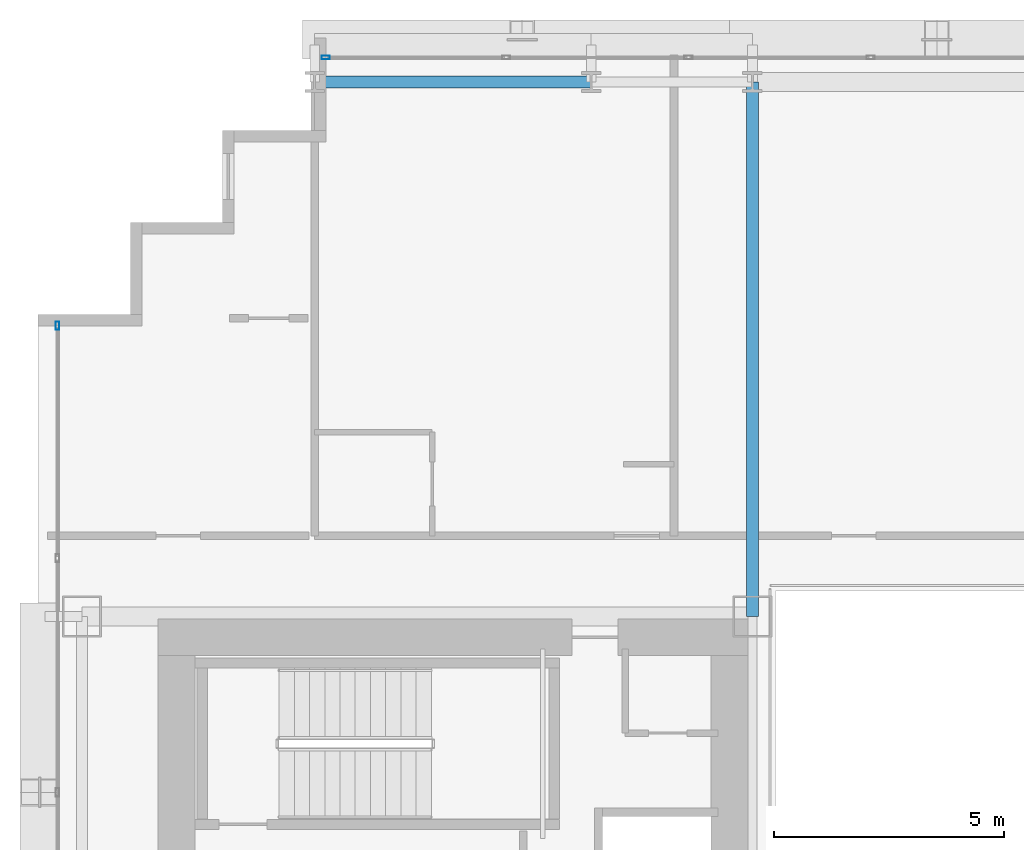
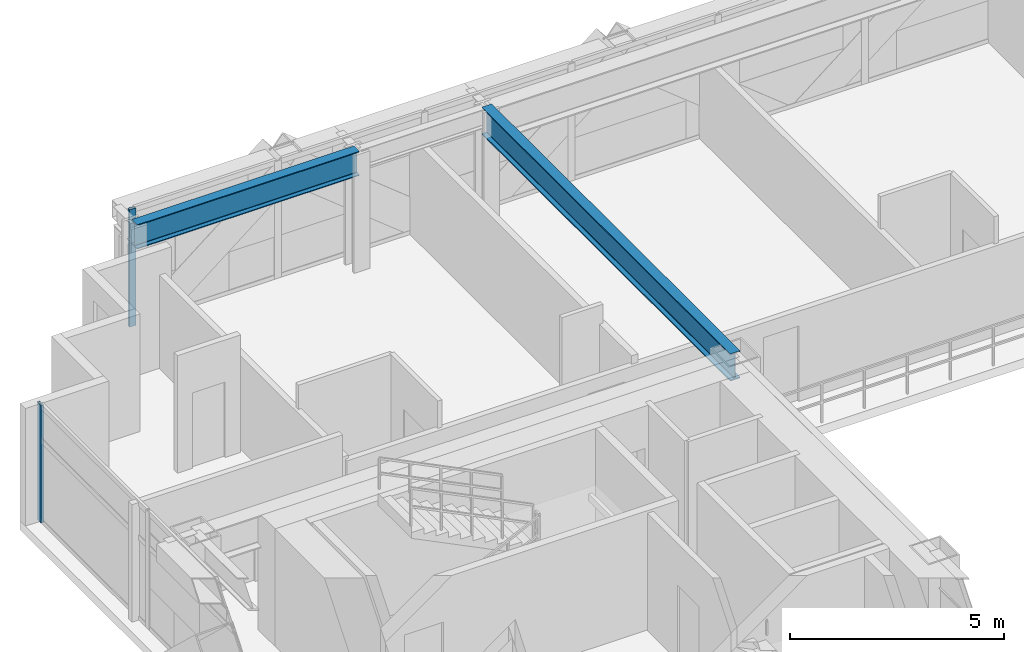
# One storey, part 17 of 35: 2 beams, 2 members, 2 elements without a shape of their own.
"""IFC4 building model written with IfcOpenShell, lengths in metres."""

from ifc_helpers import new_model, si_unit, direction, frame, origin, origin_2d, place, context, subcontext, project, spatial, hollow_rectangle, i_section, extrude, source, transform, mapped, material, layer, layer_set, material_profile, profile_set, type_object, element, aggregate, save


model = new_model("IFC4")

# Units and contexts
model_context = context("Model", 3, precision=1e-05, world=origin(), true_north=direction((0.0, 1.0)))
body_context = subcontext(model_context, "Body", "Model", "MODEL_VIEW")
ifc_project = project(units=[si_unit("LENGTHUNIT", "METRE"), si_unit("AREAUNIT", "SQUARE_METRE"), si_unit("VOLUMEUNIT", "CUBIC_METRE"), si_unit("PLANEANGLEUNIT", "RADIAN"), si_unit("MASSUNIT", "GRAM", prefix="KILO")], contexts=[model_context])

# Site, building, storey
site_placement = place(None, origin())
site = spatial("IfcSite", under=ifc_project, at=site_placement, CompositionType="ELEMENT")
building_placement = place(site_placement, origin())
building = spatial("IfcBuilding", under=site, at=building_placement, Name="Ocotamira Hotel", CompositionType="ELEMENT")
storey_placement = place(building_placement, frame((0.0, 0.0, 63.60009765625)))
storey = spatial("IfcBuildingStorey", under=building, at=storey_placement, Name="L15", CompositionType="ELEMENT", Elevation=63.60009765625)

# Beams
ifc_material_1 = material(Name="Steel ASTM A992 Grade 50", Category="steel")
ifc_material_profile_1 = material_profile(ifc_material_1, i_section(OverallWidth=0.256103515625, OverallDepth=0.693115234375, WebThickness=0.014404296875, FlangeThickness=0.023681640625, FilletRadius=0.01611328125, at=origin_2d()), Name="W27X114")
ifc_profile_set_1 = profile_set([ifc_material_profile_1], Name="Steel ASTM A992 Grade 50")
beam_type_1 = type_object("IfcBeamType", Name="BM-PRIM-W27X114", PredefinedType="BEAM", material=ifc_profile_set_1)
shared_shape_1 = source(origin(), body_context, "Body", "SweptSolid", [
    extrude(i_section(OverallWidth=0.256103515625, OverallDepth=0.693115234375, WebThickness=0.014404296875, FlangeThickness=0.023681640625, FilletRadius=0.01611328125, at=origin_2d()), origin(), (0.0, 0.0, 1.0), 6.0),
])
beam_1_placement = place(storey_placement, frame((14.0, 49.050048828125, 3.00341796875), z_axis=(1.0, 0.0, 0.0), x_axis=(0.0, 1.0, 0.0)))
element("IfcBeam", 1, at=beam_1_placement, inside=storey, type_object=beam_type_1, Name="L15 Girder Y49.05 X14-20", PredefinedType="BEAM", context=body_context, shape_type="MappedRepresentation", body=[
    mapped(shared_shape_1, transform((0.0, 0.0, 0.0), scale=1.0)),
])
ifc_material_profile_2 = material_profile(ifc_material_1, i_section(OverallWidth=0.26611328125, OverallDepth=0.779052734375, WebThickness=0.0166015625, FlangeThickness=0.030029296875, FilletRadius=0.01806640625, at=origin_2d()), Name="W30X148")
ifc_profile_set_2 = profile_set([ifc_material_profile_2], Name="Steel ASTM A992 Grade 50")
beam_type_2 = type_object("IfcBeamType", Name="BM-GIRD-W30X148", PredefinedType="BEAM", material=ifc_profile_set_2)
shared_shape_2 = source(origin(), body_context, "Body", "SweptSolid", [
    extrude(i_section(OverallWidth=0.26611328125, OverallDepth=0.779052734375, WebThickness=0.0166015625, FlangeThickness=0.030029296875, FilletRadius=0.01806640625, at=origin_2d()), origin(), (0.0, 0.0, 1.0), 11.60009765625),
])
beam_2_placement = place(storey_placement, frame((23.5, 37.449951171875, 2.96044921875), z_axis=(0.0, 1.0, 0.0), x_axis=(-1.0, 0.0, 0.0)))
element("IfcBeam", 2, at=beam_2_placement, inside=storey, type_object=beam_type_2, Name="L15 Beam X23.5 Y37.45-49.05", PredefinedType="BEAM", context=body_context, shape_type="MappedRepresentation", body=[
    mapped(shared_shape_2, transform((0.0, 0.0, 0.0), scale=1.0)),
])

# Curtain wall, member
ifc_material_2 = material(Name="Anodised pale-metal aluminium and solar glass", Category="aluminium")
ifc_layer = layer(ifc_material_2, 0.179931640625)
ifc_layer_set = layer_set([ifc_layer], Name="Anodised pale-metal aluminium and solar glass")
curtain_wall_type = type_object("IfcCurtainWallType", Name="CW-SYS2-Z1", PredefinedType="NOTDEFINED", material=ifc_layer_set)
curtain_wall_1_placement = place(storey_placement, origin())
curtain_wall_1 = element("IfcCurtainWall", 3, at=curtain_wall_1_placement, inside=storey, type_object=curtain_wall_type, Name="L15 Curtain Wall CW-2 CW-L15-N", PredefinedType="NOTDEFINED")
ifc_material_3 = material(Name="Anodised pale-metal aluminium 6063-T6", Category="aluminium")
ifc_material_profile_3 = material_profile(ifc_material_3, hollow_rectangle(XDim=0.080078125, YDim=0.179931640625, WallThickness=0.006103515625, at=origin_2d()), Name="HSS180X80X6")
ifc_profile_set_3 = profile_set([ifc_material_profile_3], Name="Anodised pale-metal aluminium 6063-T6")
member_type = type_object("IfcMemberType", Name="CWM-180X75", PredefinedType="MULLION", material=ifc_profile_set_3)
shared_shape_3 = source(origin(), body_context, "Body", "SweptSolid", [
    extrude(hollow_rectangle(XDim=0.080078125, YDim=0.179931640625, WallThickness=0.006103515625, at=origin_2d()), origin(), (0.0, 0.0, 1.0), 3.349853515625),
])
member_1_placement = place(storey_placement, frame((14.239990234375, 49.580078125, 0.0), z_axis=(0.0, 0.0, 1.0), x_axis=(0.0, 1.0, 0.0)))
member_1 = element("IfcMember", 4, at=member_1_placement, type_object=member_type, Name="CW-2 mullion 1", PredefinedType="MULLION", context=body_context, shape_type="MappedRepresentation", body=[
    mapped(shared_shape_3, transform((0.0, 0.0, 0.0), scale=1.0)),
])
aggregate(curtain_wall_1, [member_1])

curtain_wall_2_placement = place(storey_placement, origin())
curtain_wall_2 = element("IfcCurtainWall", 5, at=curtain_wall_2_placement, inside=storey, type_object=curtain_wall_type, Name="L15 Curtain Wall CW-2 CW-L15-W", PredefinedType="NOTDEFINED")
member_2_placement = place(storey_placement, frame((8.419921875, 43.760009765625, 0.0), z_axis=(0.0, 0.0, 1.0), x_axis=(-1.0, 0.0, 0.0)))
member_2 = element("IfcMember", 6, at=member_2_placement, type_object=member_type, Name="CW-2 mullion 8", PredefinedType="MULLION", context=body_context, shape_type="MappedRepresentation", body=[
    mapped(shared_shape_3, transform((0.0, 0.0, 0.0), scale=1.0)),
])
aggregate(curtain_wall_2, [member_2])

save(model, "model.ifc")
